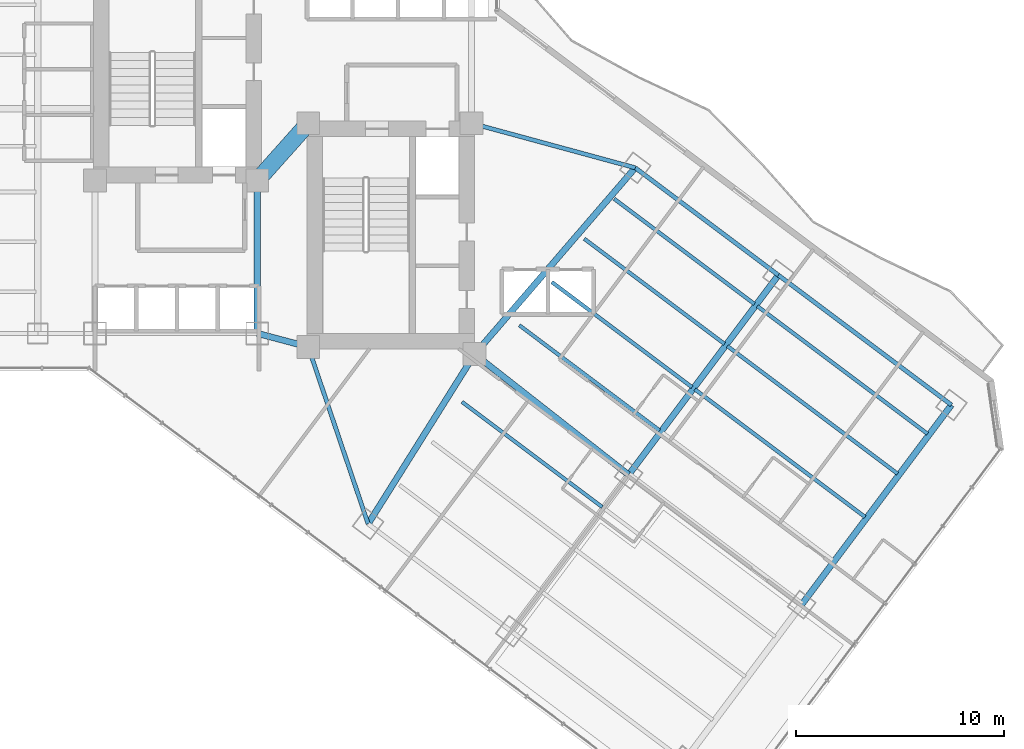
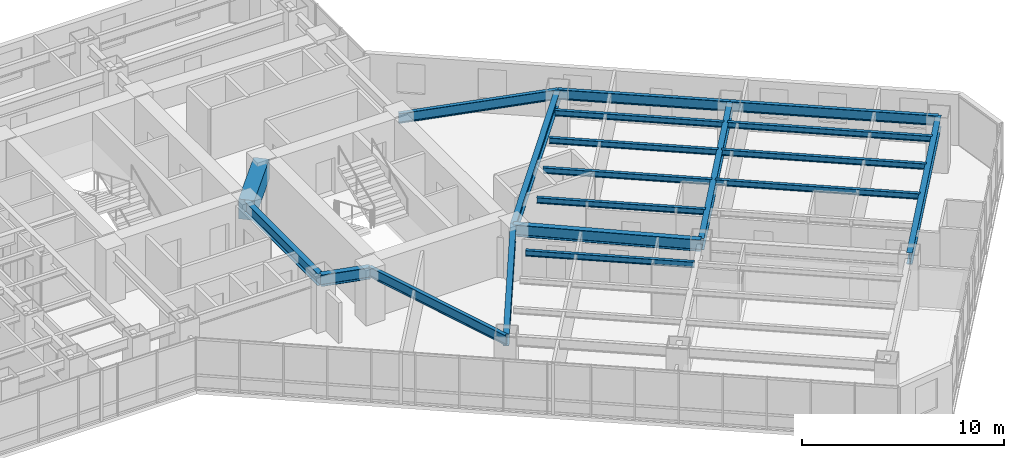
# One storey, part 17 of 39: 20 beams.
"""IFC4 building model written with IfcOpenShell, lengths in metres."""

import ifcopenshell
import ifcopenshell.guid

model = None  # the IFC model being written
_history = None  # IfcOwnerHistory: only IFC2X3 demands one
_inside = {}  # id of a spatial element -> (the spatial element, [elements in it])
_under = {}  # id of a project, library or spatial element -> (it, [spatial elements below it])
_declared = {}  # id of a project -> (the project, [libraries it declares])
_typed = {}  # id of a type object -> (the type object, [elements of that type])
_made_of = {}  # id of a material, layer set ... -> (it, [elements and type objects made of it])


def new_model(schema):
    """Start an empty IFC model of exactly this schema.

    Asked for "IFC4X3", IfcOpenShell would pick the latest addendum, in which some entities
    have other attributes; the version numbers below select the first issue.
    IFC2X3 requires an IfcOwnerHistory on every rooted entity: one is made here for all.
    """
    global model, _history
    if schema == "IFC4X3":
        model = ifcopenshell.file(schema_version=(4, 3, 0, 0))
    else:
        model = ifcopenshell.file(schema=schema)
    _inside.clear()
    _under.clear()
    _declared.clear()
    _typed.clear()
    _made_of.clear()
    _history = None
    if model.schema == "IFC2X3":
        org = make("IfcOrganization", Name="unknown")
        user = make(
            "IfcPersonAndOrganization",
            ThePerson=make("IfcPerson", FamilyName="unknown"),
            TheOrganization=org,
        )
        app = make(
            "IfcApplication",
            ApplicationDeveloper=org,
            Version="unknown",
            ApplicationFullName="unknown",
            ApplicationIdentifier="unknown",
        )
        _history = make(
            "IfcOwnerHistory",
            OwningUser=user,
            OwningApplication=app,
            ChangeAction="ADDED",
            CreationDate=0,
        )
    return model


def make(cls, **values):
    """One entity of the class cls with the attributes given. An attribute that is None is left unset."""
    return model.create_entity(
        cls, **{name: value for name, value in values.items() if value is not None}
    )


def rooted(cls, **values):
    """An entity with a GlobalId (a new one), such as an element, a storey or a relation."""
    return make(cls, GlobalId=ifcopenshell.guid.new(), OwnerHistory=_history, **values)


def si_unit(unit_type, name, prefix=None):
    """IfcSIUnit, for example si_unit("LENGTHUNIT", "METRE", prefix="MILLI")."""
    return make("IfcSIUnit", UnitType=unit_type, Prefix=prefix, Name=name)


def assignment(units):
    """IfcUnitAssignment: the units of a project."""
    return None if units is None else make("IfcUnitAssignment", Units=units)


def point(xyz):
    """IfcCartesianPoint."""
    return None if xyz is None else make("IfcCartesianPoint", Coordinates=xyz)


def direction(xyz):
    """IfcDirection."""
    return None if xyz is None else make("IfcDirection", DirectionRatios=xyz)


def frame(location, z_axis=None, x_axis=None):
    """IfcAxis2Placement3D, a coordinate frame: its origin and axes. An axis left out is left unset."""
    return make(
        "IfcAxis2Placement3D",
        Location=point(location),
        Axis=direction(z_axis),
        RefDirection=direction(x_axis),
    )


def frame_2d(location, x_axis=None):
    """IfcAxis2Placement2D, a coordinate frame in the plane: its origin and x axis."""
    return make(
        "IfcAxis2Placement2D", Location=point(location), RefDirection=direction(x_axis)
    )


def origin():
    """The frame at (0, 0, 0) with its axes left unset."""
    return frame((0.0, 0.0, 0.0))


def origin_2d():
    """The frame at (0, 0) in the plane with its x axis left unset."""
    return frame_2d((0.0, 0.0))


def place(relative_to, where):
    """IfcLocalPlacement: puts the frame where relative to a parent placement (None: the world)."""
    return make(
        "IfcLocalPlacement", PlacementRelTo=relative_to, RelativePlacement=where
    )


def context(
    kind, dimensions, precision=None, world=None, true_north=None, identifier=None
):
    """IfcGeometricRepresentationContext, for example the 3D "Model" context."""
    return make(
        "IfcGeometricRepresentationContext",
        ContextIdentifier=identifier,
        ContextType=kind,
        CoordinateSpaceDimension=dimensions,
        Precision=precision,
        WorldCoordinateSystem=world,
        TrueNorth=true_north,
    )


def subcontext(parent, identifier, kind, view, scale=None):
    """IfcGeometricRepresentationSubContext, for example "Body" below "Model"."""
    return make(
        "IfcGeometricRepresentationSubContext",
        ContextIdentifier=identifier,
        ContextType=kind,
        ParentContext=parent,
        TargetScale=scale,
        TargetView=view,
    )


def project(units=None, contexts=None):
    """IfcProject with its units and contexts."""
    return rooted(
        "IfcProject",
        Name="project",
        RepresentationContexts=contexts,
        UnitsInContext=assignment(units),
    )


def spatial(cls, under=None, at=None, **own):
    """A site, building, storey or space (cls), placed at a placement, below another one or the project."""
    s = rooted(cls, ObjectPlacement=at, **own)
    if under is not None:
        _under.setdefault(under.id(), (under, []))[1].append(s)
    return s


def profile(cls, at=None, kind="AREA", **sizes):
    """A parametric profile (cls). Its sizes go by their IFC names, for example OverallWidth=200.0."""
    return make(cls, ProfileType=kind, Position=at, **sizes)


def rectangle(**sizes):
    """IfcRectangleProfileDef."""
    return profile("IfcRectangleProfileDef", **sizes)


def i_section(**sizes):
    """IfcIShapeProfileDef."""
    return profile("IfcIShapeProfileDef", **sizes)


def extrude(swept, where, along, depth):
    """IfcExtrudedAreaSolid: the profile swept, set in the frame where, extruded along a direction by depth."""
    return make(
        "IfcExtrudedAreaSolid",
        SweptArea=swept,
        Position=where,
        ExtrudedDirection=direction(along),
        Depth=depth,
    )


def shape(context_of_items, identifier, shape_type, items):
    """IfcShapeRepresentation: the items that make up one representation, for example the "Body"."""
    return make(
        "IfcShapeRepresentation",
        ContextOfItems=context_of_items,
        RepresentationIdentifier=identifier,
        RepresentationType=shape_type,
        Items=items,
    )


def material(Name=None, Category=None):
    """IfcMaterial."""
    return make("IfcMaterial", Name=Name, Category=Category)


def material_profile(
    of_material, cross_section, Name=None, Category=None, Priority=None
):
    """IfcMaterialProfile: a cross section and its material."""
    return make(
        "IfcMaterialProfile",
        Name=Name,
        Material=of_material,
        Profile=cross_section,
        Priority=Priority,
        Category=Category,
    )


def profile_set(profiles, Name=None, composite=None):
    """IfcMaterialProfileSet."""
    return make(
        "IfcMaterialProfileSet",
        Name=Name,
        MaterialProfiles=profiles,
        CompositeProfile=composite,
    )


def made_of(thing, what):
    """Note that an element or type object is made of a material, layer set ...; save() writes the relation."""
    if what is not None:
        _made_of.setdefault(what.id(), (what, []))[1].append(thing)
    return thing


def type_object(cls, material=None, **own):
    """A type object (cls), such as IfcWallType, which elements share."""
    return made_of(rooted(cls, **own), material)


def element(
    cls,
    number,
    at=None,
    inside=None,
    cuts=None,
    type_object=None,
    material=None,
    context=None,
    identifier="Body",
    shape_type=None,
    held_by="IfcProductDefinitionShape",
    body=None,
    shapes=None,
    **own,
):
    """One element of the class cls, such as IfcWall. Its Tag is "e" and its number.

    at: its placement. inside: the storey or other place that contains it. cuts: it is an
    opening in that element (IfcRelVoidsElement). A single representation is given by context,
    identifier, shape_type and body (its items); several are given by shapes. held_by: the class
    of the entity that holds the representations. save() writes the other relations.
    """
    e = rooted(cls, Tag="e%d" % number, ObjectPlacement=at, **own)
    if body is not None:
        shapes = [shape(context, identifier, shape_type, body)]
    if shapes is not None:
        e.Representation = make(held_by, Representations=shapes)
    if inside is not None:
        _inside.setdefault(inside.id(), (inside, []))[1].append(e)
    if cuts is not None:
        rooted(
            "IfcRelVoidsElement", RelatingBuildingElement=cuts, RelatedOpeningElement=e
        )
    if type_object is not None:
        _typed.setdefault(type_object.id(), (type_object, []))[1].append(e)
    return made_of(e, material)


def aggregate(whole, parts):
    """IfcRelAggregates: a whole, such as a stair, and the parts it consists of."""
    return rooted("IfcRelAggregates", RelatingObject=whole, RelatedObjects=parts)


def save(model, path):
    """Write the relations noted so far, then the file.

    IfcRelAggregates (storeys below a building ...), IfcRelContainedInSpatialStructure (elements
    in a storey), IfcRelDefinesByType, IfcRelAssociatesMaterial and IfcRelDeclares: one each for
    every whole, place, type object, material and project.
    """
    for whole, parts in _under.values():
        aggregate(whole, parts)
    for where, things in _inside.values():
        rooted(
            "IfcRelContainedInSpatialStructure",
            RelatedElements=things,
            RelatingStructure=where,
        )
    for kind, things in _typed.values():
        rooted("IfcRelDefinesByType", RelatedObjects=things, RelatingType=kind)
    for what, things in _made_of.values():
        rooted("IfcRelAssociatesMaterial", RelatedObjects=things, RelatingMaterial=what)
    for by, libraries in _declared.values():
        rooted("IfcRelDeclares", RelatingContext=by, RelatedDefinitions=libraries)
    model.write(path)


model = new_model("IFC4")

# Units and contexts
model_context = context("Model", 3, precision=1e-05, world=origin(), true_north=direction((0.0, 1.0)))
body_context = subcontext(model_context, "Body", "Model", "MODEL_VIEW")
ifc_project = project(units=[si_unit("LENGTHUNIT", "METRE"), si_unit("AREAUNIT", "SQUARE_METRE"), si_unit("VOLUMEUNIT", "CUBIC_METRE"), si_unit("PLANEANGLEUNIT", "RADIAN"), si_unit("MASSUNIT", "GRAM", prefix="KILO")], contexts=[model_context])

# Site, building, storey
site_placement = place(None, origin())
site = spatial("IfcSite", under=ifc_project, at=site_placement, CompositionType="ELEMENT")
building_placement = place(site_placement, origin())
building = spatial("IfcBuilding", under=site, at=building_placement, Name="Hatsunagi Terrace Concourse", CompositionType="ELEMENT")
storey_placement = place(building_placement, frame((0.0, 0.0, 66.75)))
storey = spatial("IfcBuildingStorey", under=building, at=storey_placement, Name="L17", CompositionType="ELEMENT", Elevation=66.75)

# Beams
ifc_material_1 = material(Name="Concrete Fc60", Category="concrete")
ifc_material_profile_1 = material_profile(ifc_material_1, rectangle(XDim=0.800048828125, YDim=1.199951171875, at=origin_2d()), Name="RC-800x1200")
ifc_profile_set_1 = profile_set([ifc_material_profile_1], Name="Concrete Fc60")
beam_type_1 = type_object("IfcBeamType", Name="CoreCouplingBeam_RC_800x1200", PredefinedType="BEAM", material=ifc_profile_set_1)
beam_1_placement = place(storey_placement, frame((33.35009765625, 32.550048828125, 2.530029296875), z_axis=(0.665198651008, 0.746666427997, 0.0), x_axis=(-0.746666427997, 0.665198651008, 0.0)))
element("IfcBeam", 1, at=beam_1_placement, inside=storey, type_object=beam_type_1, Name="Beam CB-01 CB-L17-1", PredefinedType="BEAM", context=body_context, shape_type="SweptSolid", body=[
    extrude(rectangle(XDim=0.800048828125, YDim=1.199951171875, at=origin_2d()), origin(), (0.0, 0.0, 1.0), 3.68310546875),
])
ifc_material_2 = material(Name="Steel SN490B", Category="steel")
ifc_material_profile_2 = material_profile(ifc_material_2, i_section(OverallWidth=0.300048828125, OverallDepth=0.699951171875, WebThickness=0.012939453125, FlangeThickness=0.02392578125, FilletRadius=0.02197265625, at=origin_2d()), Name="H-700x300x13x24")
ifc_profile_set_2 = profile_set([ifc_material_profile_2], Name="Steel SN490B")
beam_type_2 = type_object("IfcBeamType", Name="HotelFloorGirder_H_700x300", PredefinedType="BEAM", material=ifc_profile_set_2)
beam_2_placement = place(storey_placement, frame((33.35009765625, 25.199951171875, 2.780029296875), z_axis=(0.0, 1.0, 0.0), x_axis=(-1.0, 0.0, 0.0)))
element("IfcBeam", 2, at=beam_2_placement, inside=storey, type_object=beam_type_2, Name="Beam G-04 BM-L17-K2CA", PredefinedType="BEAM", context=body_context, shape_type="SweptSolid", body=[
    extrude(i_section(OverallWidth=0.300048828125, OverallDepth=0.699951171875, WebThickness=0.012939453125, FlangeThickness=0.02392578125, FilletRadius=0.02197265625, at=origin_2d()), origin(), (0.0, 0.0, 1.0), 7.35009765625),
])
beam_3_placement = place(storey_placement, frame((33.35009765625, 25.199951171875, 2.780029296875), z_axis=(0.966569840116, -0.256403479262, 0.0), x_axis=(0.256403479262, 0.966569840116, 0.0)))
element("IfcBeam", 3, at=beam_3_placement, inside=storey, type_object=beam_type_2, Name="Beam G-04 BM-L17-K2CB", PredefinedType="BEAM", context=body_context, shape_type="SweptSolid", body=[
    extrude(i_section(OverallWidth=0.300048828125, OverallDepth=0.699951171875, WebThickness=0.012939453125, FlangeThickness=0.02392578125, FilletRadius=0.02197265625, at=origin_2d()), origin(), (0.0, 0.0, 1.0), 2.53466796875),
])
beam_4_placement = place(storey_placement, frame((38.679931640625, 16.0400390625, 2.780029296875), z_axis=(0.531503907049, 0.847055840421, 0.0), x_axis=(-0.847055840421, 0.531503907049, 0.0)))
element("IfcBeam", 4, at=beam_4_placement, inside=storey, type_object=beam_type_2, Name="Beam G-04 BM-L17-SET-1A", PredefinedType="BEAM", context=body_context, shape_type="SweptSolid", body=[
    extrude(i_section(OverallWidth=0.300048828125, OverallDepth=0.699951171875, WebThickness=0.012939453125, FlangeThickness=0.02392578125, FilletRadius=0.02197265625, at=origin_2d()), origin(), (0.0, 0.0, 1.0), 9.63330078125),
])
beam_5_placement = place(storey_placement, frame((43.800048828125, 24.199951171875, 2.780029296875), z_axis=(0.652739101421, 0.757582777969, 0.0), x_axis=(-0.757582777969, 0.652739101421, 0.0)))
element("IfcBeam", 5, at=beam_5_placement, inside=storey, type_object=beam_type_2, Name="Beam G-04 BM-L17-SET-1B", PredefinedType="BEAM", context=body_context, shape_type="SweptSolid", body=[
    extrude(i_section(OverallWidth=0.300048828125, OverallDepth=0.699951171875, WebThickness=0.012939453125, FlangeThickness=0.02392578125, FilletRadius=0.02197265625, at=origin_2d()), origin(), (0.0, 0.0, 1.0), 11.8271484375),
])
beam_6_placement = place(storey_placement, frame((43.800048828125, 24.199951171875, 2.780029296875), z_axis=(0.787049441068, -0.616889923175, 0.0), x_axis=(0.616889923175, 0.787049441068, 0.0)))
element("IfcBeam", 6, at=beam_6_placement, inside=storey, type_object=beam_type_2, Name="Beam G-04 BM-L17-SE-M2", PredefinedType="BEAM", context=body_context, shape_type="SweptSolid", body=[
    extrude(i_section(OverallWidth=0.300048828125, OverallDepth=0.699951171875, WebThickness=0.012939453125, FlangeThickness=0.02392578125, FilletRadius=0.02197265625, at=origin_2d()), origin(), (0.0, 0.0, 1.0), 9.402099609375),
])
for number, where, z_axis, x_axis, name in (
    (7, (51.199951171875, 18.39990234375, 2.780029296875), (0.59999348959, 0.800004882766, 0.0), (-0.800004882766, 0.59999348959, 0.0), "Beam G-04 BM-L17-SET-2B"),
    (8, (59.52001953125, 12.159912109375, 2.780029296875), (0.59999348959, 0.800004882766, 0.0), (-0.800004882766, 0.59999348959, 0.0), "Beam G-04 BM-L17-SET-3B"),
):
    element("IfcBeam", number, at=place(storey_placement, frame(where, z_axis=z_axis, x_axis=x_axis)), inside=storey, type_object=beam_type_2, Name=name, PredefinedType="BEAM", context=body_context, shape_type="SweptSolid", body=[
        extrude(i_section(OverallWidth=0.300048828125, OverallDepth=0.699951171875, WebThickness=0.012939453125, FlangeThickness=0.02392578125, FilletRadius=0.02197265625, at=origin_2d()), origin(), (0.0, 0.0, 1.0), 12.0),
    ])
ifc_material_3 = material(Name="Steel SN490B", Category="steel")
ifc_material_profile_3 = material_profile(ifc_material_3, i_section(OverallWidth=0.175048828125, OverallDepth=0.35009765625, WebThickness=0.007080078125, FlangeThickness=0.010986328125, FilletRadius=0.012939453125, at=origin_2d()), Name="H-350x175x7x11")
ifc_profile_set_3 = profile_set([ifc_material_profile_3], Name="Steel SN490B")
beam_type_3 = type_object("IfcBeamType", Name="HotelJoist_H_350x175", PredefinedType="JOIST", material=ifc_profile_set_3)
for number, where, z_axis, x_axis, name in (
    (9, (43.18798828125, 21.908935546875, 2.955078125), (0.800003475366, -0.59999536615, 0.0), (0.59999536615, 0.800003475366, 0.0), "Beam J-02 J-L17-SE-2-96"),
    (10, (45.947998046875, 25.589111328125, 2.955078125), (0.799989573921, -0.600013901187, 0.0), (0.600013901187, 0.799989573921, 0.0), "Beam J-02 J-L17-SE-2-142"),
    (11, (47.508056640625, 27.6689453125, 2.955078125), (0.800003475366, -0.59999536615, 0.0), (0.59999536615, 0.800003475366, 0.0), "Beam J-02 J-L17-SE-2-168"),
    (12, (49.068115234375, 29.7490234375, 2.955078125), (0.799989573921, -0.600013901187, 0.0), (0.600013901187, 0.799989573921, 0.0), "Beam J-02 J-L17-SE-2-194"),
    (13, (50.508056640625, 31.6689453125, 2.955078125), (0.800003475366, -0.59999536615, 0.0), (0.59999536615, 0.800003475366, 0.0), "Beam J-02 J-L17-SE-2-218"),
):
    element("IfcBeam", number, at=place(storey_placement, frame(where, z_axis=z_axis, x_axis=x_axis)), inside=storey, type_object=beam_type_3, Name=name, PredefinedType="JOIST", context=body_context, shape_type="SweptSolid", body=[
        extrude(i_section(OverallWidth=0.175048828125, OverallDepth=0.35009765625, WebThickness=0.007080078125, FlangeThickness=0.010986328125, FilletRadius=0.012939453125, at=origin_2d()), origin(), (0.0, 0.0, 1.0), 8.429931640625),
    ])
beam_7_placement = place(storey_placement, frame((54.387939453125, 22.509033203125, 2.955078125), z_axis=(0.800005727586, -0.599992363142, 0.0), x_axis=(0.599992363142, 0.800005727586, 0.0)))
element("IfcBeam", 14, at=beam_7_placement, inside=storey, type_object=beam_type_3, Name="Beam J-02 J-L17-SE-3-168", PredefinedType="JOIST", context=body_context, shape_type="SweptSolid", body=[
    extrude(i_section(OverallWidth=0.175048828125, OverallDepth=0.35009765625, WebThickness=0.007080078125, FlangeThickness=0.010986328125, FilletRadius=0.012939453125, at=origin_2d()), origin(), (0.0, 0.0, 1.0), 10.22998046875),
])
beam_8_placement = place(storey_placement, frame((55.947998046875, 24.589111328125, 2.955078125), z_axis=(0.799994272423, -0.600007636694, 0.0), x_axis=(0.600007636694, 0.799994272423, 0.0)))
element("IfcBeam", 15, at=beam_8_placement, inside=storey, type_object=beam_type_3, Name="Beam J-02 J-L17-SE-3-194", PredefinedType="JOIST", context=body_context, shape_type="SweptSolid", body=[
    extrude(i_section(OverallWidth=0.175048828125, OverallDepth=0.35009765625, WebThickness=0.007080078125, FlangeThickness=0.010986328125, FilletRadius=0.012939453125, at=origin_2d()), origin(), (0.0, 0.0, 1.0), 10.230224609375),
])
beam_9_placement = place(storey_placement, frame((57.387939453125, 26.509033203125, 2.955078125), z_axis=(0.800005727586, -0.599992363142, 0.0), x_axis=(0.599992363142, 0.800005727586, 0.0)))
element("IfcBeam", 16, at=beam_9_placement, inside=storey, type_object=beam_type_3, Name="Beam J-02 J-L17-SE-3-218", PredefinedType="JOIST", context=body_context, shape_type="SweptSolid", body=[
    extrude(i_section(OverallWidth=0.175048828125, OverallDepth=0.35009765625, WebThickness=0.007080078125, FlangeThickness=0.010986328125, FilletRadius=0.012939453125, at=origin_2d()), origin(), (0.0, 0.0, 1.0), 10.22998046875),
])
ifc_material_4 = material(Name="Steel SN490B", Category="steel")
ifc_material_profile_4 = material_profile(ifc_material_4, i_section(OverallWidth=0.199951171875, OverallDepth=0.60009765625, WebThickness=0.010986328125, FlangeThickness=0.01708984375, FilletRadius=0.01806640625, at=origin_2d()), Name="H-600x200x11x17")
ifc_profile_set_4 = profile_set([ifc_material_profile_4], Name="Steel SN490B")
beam_type_4 = type_object("IfcBeamType", Name="PerimeterSpandrel_H_600x200", PredefinedType="SPANDREL", material=ifc_profile_set_4)
beam_10_placement = place(storey_placement, frame((35.800048828125, 24.550048828125, 2.830078125), z_axis=(0.320553412271, -0.947230441805, 0.0), x_axis=(0.947230441805, 0.320553412271, 0.0)))
element("IfcBeam", 17, at=beam_10_placement, inside=storey, type_object=beam_type_4, Name="Beam SP-01 BM-L17-SE-SW0", PredefinedType="SPANDREL", context=body_context, shape_type="SweptSolid", body=[
    extrude(i_section(OverallWidth=0.199951171875, OverallDepth=0.60009765625, WebThickness=0.010986328125, FlangeThickness=0.01708984375, FilletRadius=0.01806640625, at=origin_2d()), origin(), (0.0, 0.0, 1.0), 8.984130859375),
])
beam_11_placement = place(storey_placement, frame((43.64990234375, 35.300048828125, 2.830078125), z_axis=(0.964958359286, -0.262403057994, 0.0), x_axis=(0.262403057994, 0.964958359286, 0.0)))
element("IfcBeam", 18, at=beam_11_placement, inside=storey, type_object=beam_type_4, Name="Beam SP-01 BM-L17-SE-NE0", PredefinedType="SPANDREL", context=body_context, shape_type="SweptSolid", body=[
    extrude(i_section(OverallWidth=0.199951171875, OverallDepth=0.60009765625, WebThickness=0.010986328125, FlangeThickness=0.01708984375, FilletRadius=0.01806640625, at=origin_2d()), origin(), (0.0, 0.0, 1.0), 8.156005859375),
])
beam_12_placement = place(storey_placement, frame((51.52001953125, 33.159912109375, 2.830078125), z_axis=(0.8, -0.6, 0.0), x_axis=(0.6, 0.8, 0.0)))
element("IfcBeam", 19, at=beam_12_placement, inside=storey, type_object=beam_type_4, Name="Beam SP-01 BM-L17-SE-NE2", PredefinedType="SPANDREL", context=body_context, shape_type="SweptSolid", body=[
    extrude(i_section(OverallWidth=0.199951171875, OverallDepth=0.60009765625, WebThickness=0.010986328125, FlangeThickness=0.01708984375, FilletRadius=0.01806640625, at=origin_2d()), origin(), (0.0, 0.0, 1.0), 8.599853515625),
])
beam_13_placement = place(storey_placement, frame((58.39990234375, 28.0, 2.830078125), z_axis=(0.800002816985, -0.599996244001, 0.0), x_axis=(0.599996244001, 0.800002816985, 0.0)))
element("IfcBeam", 20, at=beam_13_placement, inside=storey, type_object=beam_type_4, Name="Beam SP-01 BM-L17-SE-NE3", PredefinedType="SPANDREL", context=body_context, shape_type="SweptSolid", body=[
    extrude(i_section(OverallWidth=0.199951171875, OverallDepth=0.60009765625, WebThickness=0.010986328125, FlangeThickness=0.01708984375, FilletRadius=0.01806640625, at=origin_2d()), origin(), (0.0, 0.0, 1.0), 10.400146484375),
])

save(model, "model.ifc")
